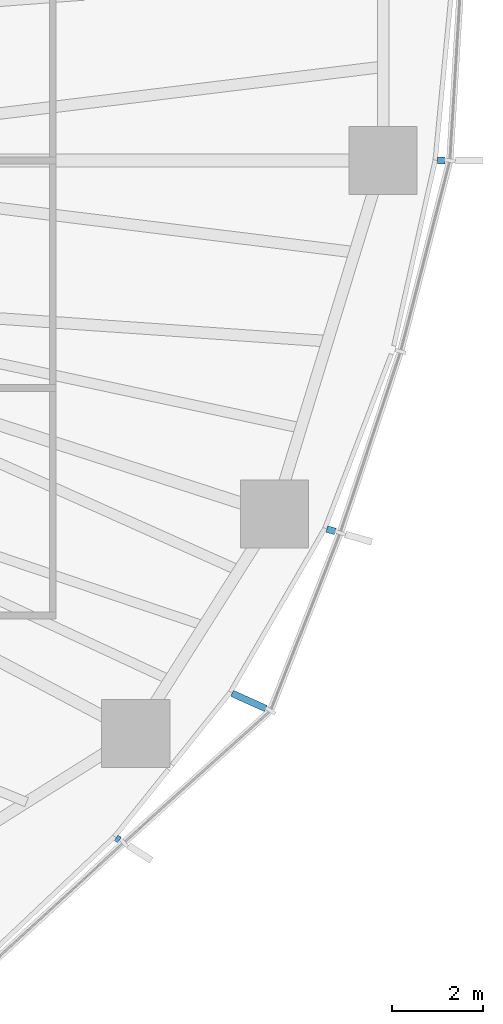
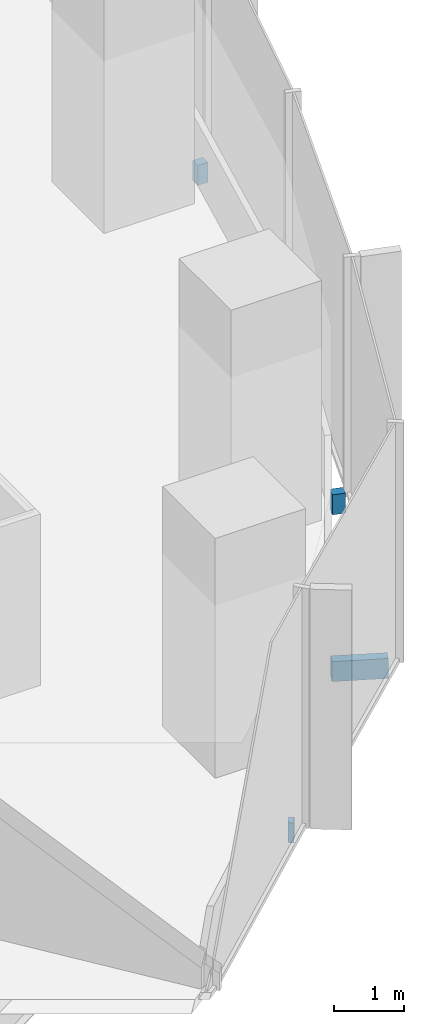
# One storey, part 14 of 18: 4 discrete accessories.
"""IFC4 building model written with IfcOpenShell, lengths in metres."""

from ifc_helpers import new_model, si_unit, direction, frame, origin, origin_2d, place, context, subcontext, project, spatial, rectangle, extrude, material, type_object, element, save


model = new_model("IFC4")

# Units and contexts
model_context = context("Model", 3, precision=1e-05, world=origin(), true_north=direction((0.0, 1.0)))
body_context = subcontext(model_context, "Body", "Model", "MODEL_VIEW")
ifc_project = project(units=[si_unit("LENGTHUNIT", "METRE"), si_unit("AREAUNIT", "SQUARE_METRE"), si_unit("VOLUMEUNIT", "CUBIC_METRE"), si_unit("PLANEANGLEUNIT", "RADIAN"), si_unit("MASSUNIT", "GRAM", prefix="KILO")], contexts=[model_context])

# Site, building, storey
site_placement = place(None, origin())
site = spatial("IfcSite", under=ifc_project, at=site_placement, CompositionType="ELEMENT")
building_placement = place(site_placement, origin())
building = spatial("IfcBuilding", under=site, at=building_placement, Name="Ghaith Harvest Tower", CompositionType="ELEMENT")
storey_placement = place(building_placement, frame((0.0, 0.0, 126.0)))
storey = spatial("IfcBuildingStorey", under=building, at=storey_placement, Name="L26", CompositionType="ELEMENT", Elevation=126.0)

# Discrete accessories
ifc_material_1 = material(Name="Stainless steel grade 1.4401", Category="steel")
discrete_accessory_type_1 = type_object("IfcDiscreteAccessoryType", Name="CURTAIN WALL BRACKET 165", PredefinedType="BRACKET", material=ifc_material_1)
discrete_accessory_1_placement = place(storey_placement, frame((30.5361328125, 0.0, -0.25), z_axis=(0.0, 0.0, 1.0), x_axis=(1.0, 0.0, 0.0)))
element("IfcDiscreteAccessory", 1, at=discrete_accessory_1_placement, inside=storey, type_object=discrete_accessory_type_1, Name="CW-L bracket 1 bay 01 L26", PredefinedType="BRACKET", context=body_context, shape_type="SweptSolid", body=[
    extrude(rectangle(XDim=0.1650390625, YDim=0.14990234375, at=origin_2d()), origin(), (0.0, 0.0, 1.0), 0.35009765625),
])
ifc_material_2 = material(Name="Stainless steel grade 1.4401", Category="steel")
discrete_accessory_type_2 = type_object("IfcDiscreteAccessoryType", Name="CURTAIN WALL BRACKET 195", PredefinedType="BRACKET", material=ifc_material_2)
discrete_accessory_2_placement = place(storey_placement, frame((28.1201171875, -8.127197265625, -0.25), z_axis=(0.0, 0.0, 1.0), x_axis=(0.960680349932, -0.277656739976, 0.0)))
element("IfcDiscreteAccessory", 2, at=discrete_accessory_2_placement, inside=storey, type_object=discrete_accessory_type_2, Name="CW-L bracket 1 bay 20 L26", PredefinedType="BRACKET", context=body_context, shape_type="SweptSolid", body=[
    extrude(rectangle(XDim=0.195068359375, YDim=0.14990234375, at=origin_2d()), origin(), (0.0, 0.0, 1.0), 0.35009765625),
])
ifc_material_3 = material(Name="Stainless steel grade 1.4401", Category="steel")
discrete_accessory_type_3 = type_object("IfcDiscreteAccessoryType", Name="CURTAIN WALL BRACKET 815", PredefinedType="BRACKET", material=ifc_material_3)
discrete_accessory_3_placement = place(storey_placement, frame((26.314697265625, -11.879638671875, -0.25), z_axis=(0.0, 0.0, 1.0), x_axis=(0.911426750831, -0.41146236507, 0.0)))
element("IfcDiscreteAccessory", 3, at=discrete_accessory_3_placement, inside=storey, type_object=discrete_accessory_type_3, Name="CW-L bracket 2 bay 19 L26", PredefinedType="BRACKET", context=body_context, shape_type="SweptSolid", body=[
    extrude(rectangle(XDim=0.81494140625, YDim=0.14990234375, at=origin_2d()), origin(), (0.0, 0.0, 1.0), 0.35009765625),
])
ifc_material_4 = material(Name="Stainless steel grade 1.4401", Category="steel")
discrete_accessory_type_4 = type_object("IfcDiscreteAccessoryType", Name="CURTAIN WALL BRACKET 85", PredefinedType="BRACKET", material=ifc_material_4)
discrete_accessory_4_placement = place(storey_placement, frame((23.431884765625, -14.912353515625, -0.25), z_axis=(0.0, 0.0, 1.0), x_axis=(0.84364397137, -0.536903016913, 0.0)))
element("IfcDiscreteAccessory", 4, at=discrete_accessory_4_placement, inside=storey, type_object=discrete_accessory_type_4, Name="CW-L bracket 1 bay 19 L26", PredefinedType="BRACKET", context=body_context, shape_type="SweptSolid", body=[
    extrude(rectangle(XDim=0.0849609375, YDim=0.14990234375, at=origin_2d()), origin(), (0.0, 0.0, 1.0), 0.35009765625),
])

save(model, "model.ifc")
